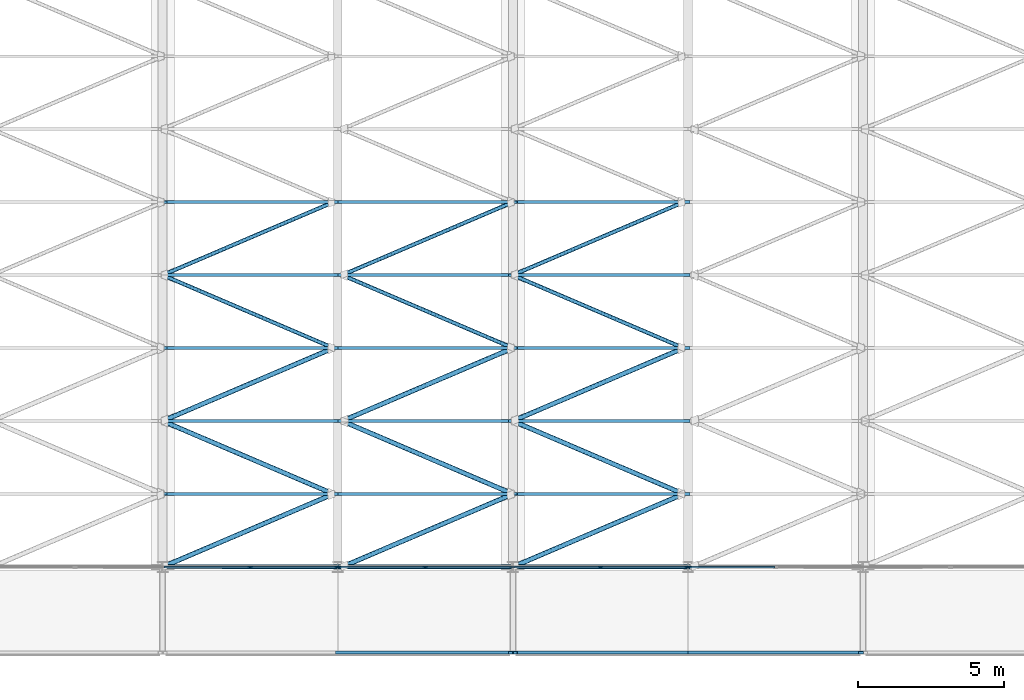
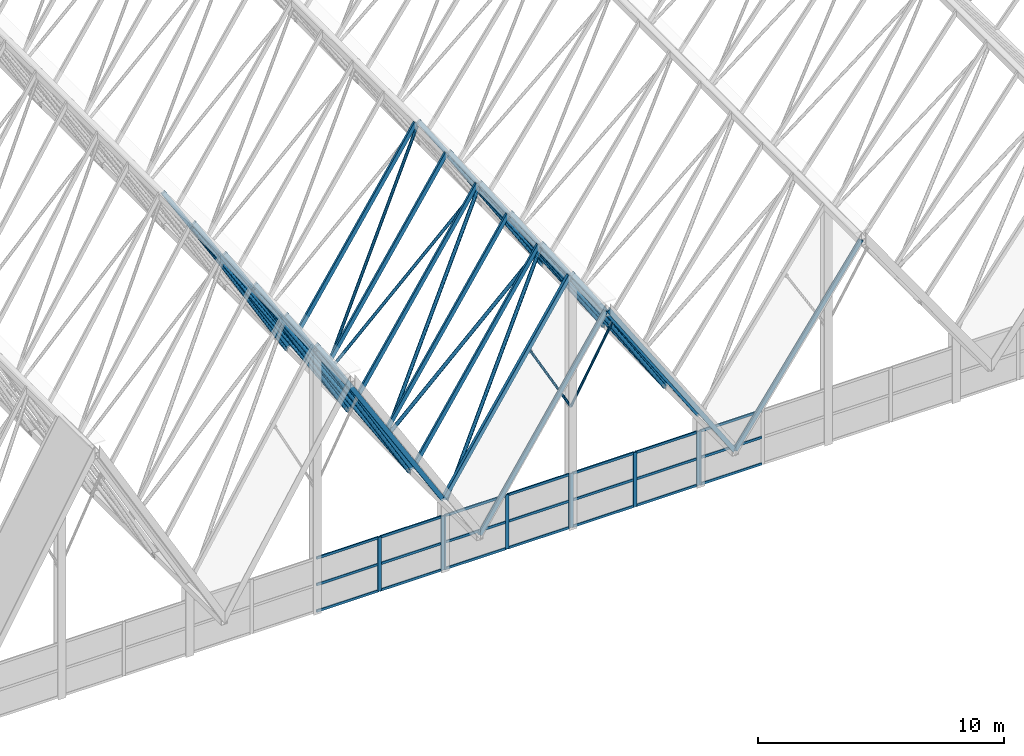
# One storey, part 16 of 483: 62 members, 6 beams, 4 elements without a shape of their own.
"""IFC4 building model written with IfcOpenShell, lengths in metres."""

from ifc_helpers import new_model, si_unit, direction, frame, origin, origin_2d, place, context, subcontext, project, spatial, rectangle, hollow_rectangle, hollow_circle, extrude, material, material_profile, profile_set, type_object, element, aggregate, save


model = new_model("IFC4")

# Units and contexts
model_context = context("Model", 3, precision=1e-05, world=origin(), true_north=direction((0.0, 1.0)))
body_context = subcontext(model_context, "Body", "Model", "MODEL_VIEW")
ifc_project = project(units=[si_unit("LENGTHUNIT", "METRE"), si_unit("AREAUNIT", "SQUARE_METRE"), si_unit("VOLUMEUNIT", "CUBIC_METRE"), si_unit("PLANEANGLEUNIT", "RADIAN"), si_unit("MASSUNIT", "GRAM", prefix="KILO")], contexts=[model_context])

# Site, building, storey
site_placement = place(None, origin())
site = spatial("IfcSite", under=ifc_project, at=site_placement, CompositionType="ELEMENT")
building_placement = place(site_placement, origin())
building = spatial("IfcBuilding", under=site, at=building_placement, Name="Parallax Yard Mobility Hub", CompositionType="ELEMENT")
storey_placement = place(building_placement, frame((0.0, 0.0, 13.199951171875)))
storey = spatial("IfcBuildingStorey", under=building, at=storey_placement, Name="L04", CompositionType="ELEMENT", Elevation=13.199951171875)

# Members
ifc_material_1 = material(Name="Steel ASTM A500 Gr C", Category="steel")
ifc_material_profile_1 = material_profile(ifc_material_1, hollow_circle(Radius=0.05712890625, WallThickness=0.006103515625, at=origin_2d()), Name="HSS114.3x6.0")
ifc_profile_set_1 = profile_set([ifc_material_profile_1], Name="Steel ASTM A500 Gr C")
member_type_1 = type_object("IfcMemberType", Name="Knee brace HSS114.3x6.0", PredefinedType="BRACE", material=ifc_profile_set_1)
for number, where, z_axis, x_axis, name in (
    (1, (51.0, 7.5, 6.0), (-0.484527681527, 0.0, 0.874775928929), (0.0, -1.0, 0.0), "Gable knee brace F8 south west"),
    (2, (51.0, 7.5, 6.0), (0.484527681527, 0.0, 0.874775928929), (0.0, 1.0, 0.0), "Gable knee brace F8 south east"),
):
    element("IfcMember", number, at=place(storey_placement, frame(where, z_axis=z_axis, x_axis=x_axis)), inside=storey, type_object=member_type_1, Name=name, PredefinedType="BRACE", context=body_context, shape_type="SweptSolid", body=[
        extrude(hollow_circle(Radius=0.05712890625, WallThickness=0.006103515625, at=origin_2d()), origin(), (0.0, 0.0, 1.0), 4.127685546875),
    ])

# Curtain wall, members
ifc_material_2 = material(Name="Thermally broken aluminium curtain wall system", Category="aluminium")
curtain_wall_type = type_object("IfcCurtainWallType", Name="Curtain wall run 60 x 160 frame", PredefinedType="NOTDEFINED", material=ifc_material_2)
curtain_wall_1_placement = place(storey_placement, origin())
curtain_wall_1 = element("IfcCurtainWall", 3, at=curtain_wall_1_placement, inside=storey, type_object=curtain_wall_type, Name="Glazed gable end Bus and taxi deck south gable bay 6 level L04", PredefinedType="NOTDEFINED")
ifc_material_3 = material(Name="Extruded aluminium", Category="aluminium")
ifc_material_profile_2 = material_profile(ifc_material_3, rectangle(XDim=0.06005859375, YDim=0.159912109375, at=origin_2d()), Name="Mullion 60 x 160")
ifc_profile_set_2 = profile_set([ifc_material_profile_2], Name="Extruded aluminium")
member_type_2 = type_object("IfcMemberType", Name="Mullion 60 x 160", PredefinedType="MULLION", material=ifc_profile_set_2)
member_1_placement = place(storey_placement, frame((42.0, 7.5, 0.0), z_axis=(0.0, 0.0, 1.0), x_axis=(0.0, 1.0, 0.0)))
member_1 = element("IfcMember", 4, at=member_1_placement, type_object=member_type_2, Name="CW1 mullion 2", PredefinedType="MULLION", context=body_context, shape_type="SweptSolid", body=[
    extrude(rectangle(XDim=0.06005859375, YDim=0.159912109375, at=origin_2d()), origin(), (0.0, 0.0, 1.0), 2.68994140625),
])
member_2_placement = place(storey_placement, frame((44.969970703125, 7.5, 0.0), z_axis=(0.0, 0.0, 1.0), x_axis=(0.0, 1.0, 0.0)))
member_2 = element("IfcMember", 5, at=member_2_placement, type_object=member_type_2, Name="CW1 mullion 3", PredefinedType="MULLION", context=body_context, shape_type="SweptSolid", body=[
    extrude(rectangle(XDim=0.06005859375, YDim=0.159912109375, at=origin_2d()), origin(), (0.0, 0.0, 1.0), 2.68994140625),
])

curtain_wall_2_placement = place(storey_placement, origin())
curtain_wall_2 = element("IfcCurtainWall", 6, at=curtain_wall_2_placement, inside=storey, type_object=curtain_wall_type, Name="Glazed gable end Bus and taxi deck south gable bay 7 level L04", PredefinedType="NOTDEFINED")
member_3_placement = place(storey_placement, frame((45.030029296875, 7.5, 0.0), z_axis=(0.0, 0.0, 1.0), x_axis=(0.0, 1.0, 0.0)))
member_3 = element("IfcMember", 7, at=member_3_placement, type_object=member_type_2, Name="CW1 mullion 1", PredefinedType="MULLION", context=body_context, shape_type="SweptSolid", body=[
    extrude(rectangle(XDim=0.06005859375, YDim=0.159912109375, at=origin_2d()), origin(), (0.0, 0.0, 1.0), 2.68994140625),
])
member_4_placement = place(storey_placement, frame((48.0, 7.5, 0.0), z_axis=(0.0, 0.0, 1.0), x_axis=(0.0, 1.0, 0.0)))
member_4 = element("IfcMember", 8, at=member_4_placement, type_object=member_type_2, Name="CW1 mullion 2", PredefinedType="MULLION", context=body_context, shape_type="SweptSolid", body=[
    extrude(rectangle(XDim=0.06005859375, YDim=0.159912109375, at=origin_2d()), origin(), (0.0, 0.0, 1.0), 2.68994140625),
])
member_5_placement = place(storey_placement, frame((50.969970703125, 7.5, 0.0), z_axis=(0.0, 0.0, 1.0), x_axis=(0.0, 1.0, 0.0)))
member_5 = element("IfcMember", 9, at=member_5_placement, type_object=member_type_2, Name="CW1 mullion 3", PredefinedType="MULLION", context=body_context, shape_type="SweptSolid", body=[
    extrude(rectangle(XDim=0.06005859375, YDim=0.159912109375, at=origin_2d()), origin(), (0.0, 0.0, 1.0), 2.68994140625),
])

curtain_wall_3_placement = place(storey_placement, origin())
curtain_wall_3 = element("IfcCurtainWall", 10, at=curtain_wall_3_placement, inside=storey, type_object=curtain_wall_type, Name="Glazed gable end Bus and taxi deck south gable bay 8 level L04", PredefinedType="NOTDEFINED")
member_6_placement = place(storey_placement, frame((51.030029296875, 7.5, 0.0), z_axis=(0.0, 0.0, 1.0), x_axis=(0.0, 1.0, 0.0)))
member_6 = element("IfcMember", 11, at=member_6_placement, type_object=member_type_2, Name="CW1 mullion 1", PredefinedType="MULLION", context=body_context, shape_type="SweptSolid", body=[
    extrude(rectangle(XDim=0.06005859375, YDim=0.159912109375, at=origin_2d()), origin(), (0.0, 0.0, 1.0), 2.68994140625),
])
member_7_placement = place(storey_placement, frame((54.0, 7.5, 0.0), z_axis=(0.0, 0.0, 1.0), x_axis=(0.0, 1.0, 0.0)))
member_7 = element("IfcMember", 12, at=member_7_placement, type_object=member_type_2, Name="CW1 mullion 2", PredefinedType="MULLION", context=body_context, shape_type="SweptSolid", body=[
    extrude(rectangle(XDim=0.06005859375, YDim=0.159912109375, at=origin_2d()), origin(), (0.0, 0.0, 1.0), 2.68994140625),
])
member_8_placement = place(storey_placement, frame((56.969970703125, 7.5, 0.0), z_axis=(0.0, 0.0, 1.0), x_axis=(0.0, 1.0, 0.0)))
member_8 = element("IfcMember", 13, at=member_8_placement, type_object=member_type_2, Name="CW1 mullion 3", PredefinedType="MULLION", context=body_context, shape_type="SweptSolid", body=[
    extrude(rectangle(XDim=0.06005859375, YDim=0.159912109375, at=origin_2d()), origin(), (0.0, 0.0, 1.0), 2.68994140625),
])

# Curtain wall, member
curtain_wall_4_placement = place(storey_placement, origin())
curtain_wall_4 = element("IfcCurtainWall", 14, at=curtain_wall_4_placement, inside=storey, type_object=curtain_wall_type, Name="Glazed gable end Bus and taxi deck south gable bay 9 level L04", PredefinedType="NOTDEFINED")
member_9_placement = place(storey_placement, frame((57.030029296875, 7.5, 0.0), z_axis=(0.0, 0.0, 1.0), x_axis=(0.0, 1.0, 0.0)))
member_9 = element("IfcMember", 15, at=member_9_placement, type_object=member_type_2, Name="CW1 mullion 1", PredefinedType="MULLION", context=body_context, shape_type="SweptSolid", body=[
    extrude(rectangle(XDim=0.06005859375, YDim=0.159912109375, at=origin_2d()), origin(), (0.0, 0.0, 1.0), 2.68994140625),
])

# Members
ifc_material_profile_3 = material_profile(ifc_material_1, hollow_circle(Radius=0.06982421875, WallThickness=0.00634765625, at=origin_2d()), Name="HSS139.7x6.4")
ifc_profile_set_3 = profile_set([ifc_material_profile_3], Name="Steel ASTM A500 Gr C")
member_type_3 = type_object("IfcMemberType", Name="Plate diagonal HSS139.7x6.4", PredefinedType="BRACE", material=ifc_profile_set_3)
member_10_placement = place(storey_placement, frame((44.84765625, 15.0, 3.4130859375), z_axis=(-0.507735199294, 0.217067820673, 0.833718494833), x_axis=(-0.393103707527, -0.919494140888, 0.0)))
element("IfcMember", 16, at=member_10_placement, inside=storey, type_object=member_type_3, Name="Plate diagonal plate F6-F7 bay 4", PredefinedType="BRACE", context=body_context, shape_type="SweptSolid", body=[
    extrude(hollow_circle(Radius=0.06982421875, WallThickness=0.00634765625, at=origin_2d()), origin(), (0.0, 0.0, 1.0), 11.51708984375),
])
for number, where, z_axis, x_axis, name in (
    (17, (51.0, 15.0, 12.35693359375), (-0.532816122499, 0.227790459853, -0.814996003674), (-0.393103707527, -0.919494140888, 0.0), "Plate diagonal plate F7-F8 bay 4"),
    (18, (56.84765625, 15.0, 3.412353515625), (-0.532816122499, 0.227790459853, 0.814996003674), (-0.393103707527, -0.919494140888, 0.0), "Plate diagonal plate F8-F9 bay 4"),
):
    element("IfcMember", number, at=place(storey_placement, frame(where, z_axis=z_axis, x_axis=x_axis)), inside=storey, type_object=member_type_3, Name=name, PredefinedType="BRACE", context=body_context, shape_type="SweptSolid", body=[
        extrude(hollow_circle(Radius=0.06982421875, WallThickness=0.00634765625, at=origin_2d()), origin(), (0.0, 0.0, 1.0), 10.97509765625),
    ])
member_11_placement = place(storey_placement, frame((39.0, 17.5, 13.01513671875), z_axis=(0.507735199294, 0.217067820673, -0.833718494833), x_axis=(-0.393103707527, 0.919494140888, 0.0)))
element("IfcMember", 19, at=member_11_placement, inside=storey, type_object=member_type_3, Name="Plate diagonal plate F6-F7 bay 5", PredefinedType="BRACE", context=body_context, shape_type="SweptSolid", body=[
    extrude(hollow_circle(Radius=0.06982421875, WallThickness=0.00634765625, at=origin_2d()), origin(), (0.0, 0.0, 1.0), 11.51708984375),
])
for number, where, z_axis, x_axis, name in (
    (20, (45.15234375, 17.5, 3.412353515625), (0.532816122499, 0.227790459853, 0.814996003674), (-0.393103707527, 0.919494140888, 0.0), "Plate diagonal plate F7-F8 bay 5"),
    (21, (51.0, 17.5, 12.35693359375), (0.532816122499, 0.227790459853, -0.814996003674), (-0.393103707527, 0.919494140888, 0.0), "Plate diagonal plate F8-F9 bay 5"),
):
    element("IfcMember", number, at=place(storey_placement, frame(where, z_axis=z_axis, x_axis=x_axis)), inside=storey, type_object=member_type_3, Name=name, PredefinedType="BRACE", context=body_context, shape_type="SweptSolid", body=[
        extrude(hollow_circle(Radius=0.06982421875, WallThickness=0.00634765625, at=origin_2d()), origin(), (0.0, 0.0, 1.0), 10.97509765625),
    ])
ifc_material_profile_4 = material_profile(ifc_material_1, hollow_circle(Radius=0.084228515625, WallThickness=0.007080078125, at=origin_2d()), Name="HSS168.3x7.1")
ifc_profile_set_4 = profile_set([ifc_material_profile_4], Name="Steel ASTM A500 Gr C")
member_type_4 = type_object("IfcMemberType", Name="Plate diagonal HSS168.3x7.1", PredefinedType="BRACE", material=ifc_profile_set_4)
member_12_placement = place(storey_placement, frame((39.0, 7.5, 13.01513671875), z_axis=(0.507735199294, 0.217067820673, -0.833718494833), x_axis=(-0.393103707527, 0.919494140888, 0.0)))
element("IfcMember", 22, at=member_12_placement, inside=storey, type_object=member_type_4, Name="Plate diagonal plate F6-F7 bay 1", PredefinedType="BRACE", context=body_context, shape_type="SweptSolid", body=[
    extrude(hollow_circle(Radius=0.084228515625, WallThickness=0.007080078125, at=origin_2d()), origin(), (0.0, 0.0, 1.0), 11.51708984375),
])
for number, where, z_axis, x_axis, name in (
    (23, (45.15234375, 7.5, 3.412353515625), (0.532816122499, 0.227790459853, 0.814996003674), (-0.393103707527, 0.919494140888, 0.0), "Plate diagonal plate F7-F8 bay 1"),
    (24, (51.0, 7.5, 12.35693359375), (0.532816122499, 0.227790459853, -0.814996003674), (-0.393103707527, 0.919494140888, 0.0), "Plate diagonal plate F8-F9 bay 1"),
):
    element("IfcMember", number, at=place(storey_placement, frame(where, z_axis=z_axis, x_axis=x_axis)), inside=storey, type_object=member_type_4, Name=name, PredefinedType="BRACE", context=body_context, shape_type="SweptSolid", body=[
        extrude(hollow_circle(Radius=0.084228515625, WallThickness=0.007080078125, at=origin_2d()), origin(), (0.0, 0.0, 1.0), 10.97509765625),
    ])
member_13_placement = place(storey_placement, frame((44.84765625, 10.0, 3.4130859375), z_axis=(-0.507735199294, 0.217067820673, 0.833718494833), x_axis=(-0.393103707527, -0.919494140888, 0.0)))
element("IfcMember", 25, at=member_13_placement, inside=storey, type_object=member_type_4, Name="Plate diagonal plate F6-F7 bay 2", PredefinedType="BRACE", context=body_context, shape_type="SweptSolid", body=[
    extrude(hollow_circle(Radius=0.084228515625, WallThickness=0.007080078125, at=origin_2d()), origin(), (0.0, 0.0, 1.0), 11.51708984375),
])
for number, where, z_axis, x_axis, name in (
    (26, (51.0, 10.0, 12.35693359375), (-0.532816122499, 0.227790459853, -0.814996003674), (-0.393103707527, -0.919494140888, 0.0), "Plate diagonal plate F7-F8 bay 2"),
    (27, (56.84765625, 10.0, 3.412353515625), (-0.532816122499, 0.227790459853, 0.814996003674), (-0.393103707527, -0.919494140888, 0.0), "Plate diagonal plate F8-F9 bay 2"),
):
    element("IfcMember", number, at=place(storey_placement, frame(where, z_axis=z_axis, x_axis=x_axis)), inside=storey, type_object=member_type_4, Name=name, PredefinedType="BRACE", context=body_context, shape_type="SweptSolid", body=[
        extrude(hollow_circle(Radius=0.084228515625, WallThickness=0.007080078125, at=origin_2d()), origin(), (0.0, 0.0, 1.0), 10.97509765625),
    ])
member_14_placement = place(storey_placement, frame((39.0, 12.5, 13.01513671875), z_axis=(0.507735199294, 0.217067820673, -0.833718494833), x_axis=(-0.393103707527, 0.919494140888, 0.0)))
element("IfcMember", 28, at=member_14_placement, inside=storey, type_object=member_type_4, Name="Plate diagonal plate F6-F7 bay 3", PredefinedType="BRACE", context=body_context, shape_type="SweptSolid", body=[
    extrude(hollow_circle(Radius=0.084228515625, WallThickness=0.007080078125, at=origin_2d()), origin(), (0.0, 0.0, 1.0), 11.51708984375),
])
for number, where, z_axis, x_axis, name in (
    (29, (45.15234375, 12.5, 3.412353515625), (0.532816122499, 0.227790459853, 0.814996003674), (-0.393103707527, 0.919494140888, 0.0), "Plate diagonal plate F7-F8 bay 3"),
    (30, (51.0, 12.5, 12.35693359375), (0.532816122499, 0.227790459853, -0.814996003674), (-0.393103707527, 0.919494140888, 0.0), "Plate diagonal plate F8-F9 bay 3"),
):
    element("IfcMember", number, at=place(storey_placement, frame(where, z_axis=z_axis, x_axis=x_axis)), inside=storey, type_object=member_type_4, Name=name, PredefinedType="BRACE", context=body_context, shape_type="SweptSolid", body=[
        extrude(hollow_circle(Radius=0.084228515625, WallThickness=0.007080078125, at=origin_2d()), origin(), (0.0, 0.0, 1.0), 10.97509765625),
    ])

# Beams
ifc_material_profile_5 = material_profile(ifc_material_1, hollow_rectangle(XDim=0.1015625, YDim=0.203125, WallThickness=0.00634765625, at=origin_2d()), Name="HSS203x102x6.4")
ifc_profile_set_5 = profile_set([ifc_material_profile_5], Name="Steel ASTM A500 Gr C")
beam_type_1 = type_object("IfcBeamType", Name="Roof edge beam HSS203x102x6.4", PredefinedType="SPANDREL", material=ifc_profile_set_5)
for number, where, z_axis, x_axis, name in (
    (31, (45.014892578125, 4.56005859375, 3.515380859375), (0.54720191895, 0.0, 0.837000633152), (0.0, 1.0, 0.0), "Edge beam plate F7-F8 south eave"),
    (32, (51.0673828125, 4.56005859375, 12.567138671875), (0.54720191895, 0.0, -0.837000633152), (0.0, 1.0, 0.0), "Edge beam plate F8-F9 south eave"),
):
    element("IfcBeam", number, at=place(storey_placement, frame(where, z_axis=z_axis, x_axis=x_axis)), inside=storey, type_object=beam_type_1, Name=name, PredefinedType="SPANDREL", context=body_context, shape_type="SweptSolid", body=[
        extrude(hollow_rectangle(XDim=0.1015625, YDim=0.203125, WallThickness=0.00634765625, at=origin_2d()), origin(), (0.0, 0.0, 1.0), 10.814453125),
    ])
beam_1_placement = place(storey_placement, frame((57.012939453125, 4.56005859375, 3.5107421875), z_axis=(0.576532840319, 0.0, 0.817073977088), x_axis=(0.0, 1.0, 0.0)))
element("IfcBeam", 33, at=beam_1_placement, inside=storey, type_object=beam_type_1, Name="Edge beam plate F9-F10 south eave", PredefinedType="SPANDREL", context=body_context, shape_type="SweptSolid", body=[
    extrude(hollow_rectangle(XDim=0.1015625, YDim=0.203125, WallThickness=0.00634765625, at=origin_2d()), origin(), (0.0, 0.0, 1.0), 10.264404296875),
])
ifc_material_profile_6 = material_profile(ifc_material_1, hollow_rectangle(XDim=0.15234375, YDim=0.203125, WallThickness=0.009521484375, at=origin_2d()), Name="HSS203x152x9.5")
ifc_profile_set_6 = profile_set([ifc_material_profile_6], Name="Steel ASTM A500 Gr C")
beam_type_2 = type_object("IfcBeamType", Name="Roof edge beam HSS203x152x9.5", PredefinedType="SPANDREL", material=ifc_profile_set_6)
beam_2_placement = place(storey_placement, frame((39.065673828125, 7.5, 13.237060546875), z_axis=(0.520123935721, 0.0, -0.854090798153), x_axis=(0.0, 1.0, 0.0)))
element("IfcBeam", 34, at=beam_2_placement, inside=storey, type_object=beam_type_2, Name="Edge beam plate F6-F7 south gable", PredefinedType="SPANDREL", context=body_context, shape_type="SweptSolid", body=[
    extrude(hollow_rectangle(XDim=0.15234375, YDim=0.203125, WallThickness=0.009521484375, at=origin_2d()), origin(), (0.0, 0.0, 1.0), 11.376953125),
])
for number, where, z_axis, x_axis, name in (
    (35, (45.014892578125, 7.5, 3.515380859375), (0.54720191895, 0.0, 0.837000633152), (0.0, 1.0, 0.0), "Edge beam plate F7-F8 south gable"),
    (36, (51.0673828125, 7.5, 12.567138671875), (0.54720191895, 0.0, -0.837000633152), (0.0, 1.0, 0.0), "Edge beam plate F8-F9 south gable"),
):
    element("IfcBeam", number, at=place(storey_placement, frame(where, z_axis=z_axis, x_axis=x_axis)), inside=storey, type_object=beam_type_2, Name=name, PredefinedType="SPANDREL", context=body_context, shape_type="SweptSolid", body=[
        extrude(hollow_rectangle(XDim=0.15234375, YDim=0.203125, WallThickness=0.009521484375, at=origin_2d()), origin(), (0.0, 0.0, 1.0), 10.814453125),
    ])

# Members
ifc_material_profile_7 = material_profile(ifc_material_1, hollow_rectangle(XDim=0.1015625, YDim=0.203125, WallThickness=0.00634765625, at=origin_2d()), Name="HSS203x102x6.4")
ifc_profile_set_7 = profile_set([ifc_material_profile_7], Name="Steel ASTM A500 Gr C")
member_type_5 = type_object("IfcMemberType", Name="Roof rafter HSS203x102x6.4", PredefinedType="RAFTER", material=ifc_profile_set_7)
member_15_placement = place(storey_placement, frame((39.065673828125, 10.0, 13.237060546875), z_axis=(0.520123935721, 0.0, -0.854090798153), x_axis=(0.0, 1.0, 0.0)))
element("IfcMember", 37, at=member_15_placement, inside=storey, type_object=member_type_5, Name="Roof rafter plate F6-F7 at y 10", PredefinedType="RAFTER", context=body_context, shape_type="SweptSolid", body=[
    extrude(hollow_rectangle(XDim=0.1015625, YDim=0.203125, WallThickness=0.00634765625, at=origin_2d()), origin(), (0.0, 0.0, 1.0), 11.376953125),
])
for number, where, z_axis, x_axis, name in (
    (38, (45.014892578125, 10.0, 3.515380859375), (0.54720191895, 0.0, 0.837000633152), (0.0, 1.0, 0.0), "Roof rafter plate F7-F8 at y 10"),
    (39, (51.0673828125, 10.0, 12.567138671875), (0.54720191895, 0.0, -0.837000633152), (0.0, 1.0, 0.0), "Roof rafter plate F8-F9 at y 10"),
):
    element("IfcMember", number, at=place(storey_placement, frame(where, z_axis=z_axis, x_axis=x_axis)), inside=storey, type_object=member_type_5, Name=name, PredefinedType="RAFTER", context=body_context, shape_type="SweptSolid", body=[
        extrude(hollow_rectangle(XDim=0.1015625, YDim=0.203125, WallThickness=0.00634765625, at=origin_2d()), origin(), (0.0, 0.0, 1.0), 10.814453125),
    ])
member_16_placement = place(storey_placement, frame((39.065673828125, 12.5, 13.237060546875), z_axis=(0.520123935721, 0.0, -0.854090798153), x_axis=(0.0, 1.0, 0.0)))
element("IfcMember", 40, at=member_16_placement, inside=storey, type_object=member_type_5, Name="Roof rafter plate F6-F7 at y 12.5", PredefinedType="RAFTER", context=body_context, shape_type="SweptSolid", body=[
    extrude(hollow_rectangle(XDim=0.1015625, YDim=0.203125, WallThickness=0.00634765625, at=origin_2d()), origin(), (0.0, 0.0, 1.0), 11.376953125),
])
for number, where, z_axis, x_axis, name in (
    (41, (45.014892578125, 12.5, 3.515380859375), (0.54720191895, 0.0, 0.837000633152), (0.0, 1.0, 0.0), "Roof rafter plate F7-F8 at y 12.5"),
    (42, (51.0673828125, 12.5, 12.567138671875), (0.54720191895, 0.0, -0.837000633152), (0.0, 1.0, 0.0), "Roof rafter plate F8-F9 at y 12.5"),
):
    element("IfcMember", number, at=place(storey_placement, frame(where, z_axis=z_axis, x_axis=x_axis)), inside=storey, type_object=member_type_5, Name=name, PredefinedType="RAFTER", context=body_context, shape_type="SweptSolid", body=[
        extrude(hollow_rectangle(XDim=0.1015625, YDim=0.203125, WallThickness=0.00634765625, at=origin_2d()), origin(), (0.0, 0.0, 1.0), 10.814453125),
    ])
member_17_placement = place(storey_placement, frame((39.065673828125, 15.0, 13.237060546875), z_axis=(0.520123935721, 0.0, -0.854090798153), x_axis=(0.0, 1.0, 0.0)))
element("IfcMember", 43, at=member_17_placement, inside=storey, type_object=member_type_5, Name="Roof rafter plate F6-F7 at y 15", PredefinedType="RAFTER", context=body_context, shape_type="SweptSolid", body=[
    extrude(hollow_rectangle(XDim=0.1015625, YDim=0.203125, WallThickness=0.00634765625, at=origin_2d()), origin(), (0.0, 0.0, 1.0), 11.376953125),
])
for number, where, z_axis, x_axis, name in (
    (44, (45.014892578125, 15.0, 3.515380859375), (0.54720191895, 0.0, 0.837000633152), (0.0, 1.0, 0.0), "Roof rafter plate F7-F8 at y 15"),
    (45, (51.0673828125, 15.0, 12.567138671875), (0.54720191895, 0.0, -0.837000633152), (0.0, 1.0, 0.0), "Roof rafter plate F8-F9 at y 15"),
):
    element("IfcMember", number, at=place(storey_placement, frame(where, z_axis=z_axis, x_axis=x_axis)), inside=storey, type_object=member_type_5, Name=name, PredefinedType="RAFTER", context=body_context, shape_type="SweptSolid", body=[
        extrude(hollow_rectangle(XDim=0.1015625, YDim=0.203125, WallThickness=0.00634765625, at=origin_2d()), origin(), (0.0, 0.0, 1.0), 10.814453125),
    ])
member_18_placement = place(storey_placement, frame((39.065673828125, 17.5, 13.237060546875), z_axis=(0.520123935721, 0.0, -0.854090798153), x_axis=(0.0, 1.0, 0.0)))
element("IfcMember", 46, at=member_18_placement, inside=storey, type_object=member_type_5, Name="Roof rafter plate F6-F7 at y 17.5", PredefinedType="RAFTER", context=body_context, shape_type="SweptSolid", body=[
    extrude(hollow_rectangle(XDim=0.1015625, YDim=0.203125, WallThickness=0.00634765625, at=origin_2d()), origin(), (0.0, 0.0, 1.0), 11.376953125),
])
for number, where, z_axis, x_axis, name in (
    (47, (45.014892578125, 17.5, 3.515380859375), (0.54720191895, 0.0, 0.837000633152), (0.0, 1.0, 0.0), "Roof rafter plate F7-F8 at y 17.5"),
    (48, (51.0673828125, 17.5, 12.567138671875), (0.54720191895, 0.0, -0.837000633152), (0.0, 1.0, 0.0), "Roof rafter plate F8-F9 at y 17.5"),
):
    element("IfcMember", number, at=place(storey_placement, frame(where, z_axis=z_axis, x_axis=x_axis)), inside=storey, type_object=member_type_5, Name=name, PredefinedType="RAFTER", context=body_context, shape_type="SweptSolid", body=[
        extrude(hollow_rectangle(XDim=0.1015625, YDim=0.203125, WallThickness=0.00634765625, at=origin_2d()), origin(), (0.0, 0.0, 1.0), 10.814453125),
    ])
member_19_placement = place(storey_placement, frame((39.065673828125, 20.0, 13.237060546875), z_axis=(0.520123935721, 0.0, -0.854090798153), x_axis=(0.0, 1.0, 0.0)))
element("IfcMember", 49, at=member_19_placement, inside=storey, type_object=member_type_5, Name="Roof rafter plate F6-F7 at y 20", PredefinedType="RAFTER", context=body_context, shape_type="SweptSolid", body=[
    extrude(hollow_rectangle(XDim=0.1015625, YDim=0.203125, WallThickness=0.00634765625, at=origin_2d()), origin(), (0.0, 0.0, 1.0), 11.376953125),
])
for number, where, z_axis, x_axis, name in (
    (50, (45.014892578125, 20.0, 3.515380859375), (0.54720191895, 0.0, 0.837000633152), (0.0, 1.0, 0.0), "Roof rafter plate F7-F8 at y 20"),
    (51, (51.0673828125, 20.0, 12.567138671875), (0.54720191895, 0.0, -0.837000633152), (0.0, 1.0, 0.0), "Roof rafter plate F8-F9 at y 20"),
):
    element("IfcMember", number, at=place(storey_placement, frame(where, z_axis=z_axis, x_axis=x_axis)), inside=storey, type_object=member_type_5, Name=name, PredefinedType="RAFTER", context=body_context, shape_type="SweptSolid", body=[
        extrude(hollow_rectangle(XDim=0.1015625, YDim=0.203125, WallThickness=0.00634765625, at=origin_2d()), origin(), (0.0, 0.0, 1.0), 10.814453125),
    ])

# Member
ifc_material_profile_8 = material_profile(ifc_material_3, rectangle(XDim=0.06005859375, YDim=0.1201171875, at=origin_2d()), Name="Transom 60 x 120")
ifc_profile_set_8 = profile_set([ifc_material_profile_8], Name="Extruded aluminium")
member_type_6 = type_object("IfcMemberType", Name="Transom 60 x 120", PredefinedType="USERDEFINED", material=ifc_profile_set_8)
member_20_placement = place(storey_placement, frame((39.06005859375, 7.5, 0.030029296875), z_axis=(1.0, 0.0, 0.0), x_axis=(0.0, 1.0, 0.0)))
member_20 = element("IfcMember", 52, at=member_20_placement, type_object=member_type_6, Name="CW1 transom 1.1", ObjectType="TRANSOM", PredefinedType="USERDEFINED", context=body_context, shape_type="SweptSolid", body=[
    extrude(rectangle(XDim=0.06005859375, YDim=0.1201171875, at=origin_2d()), origin(), (0.0, 0.0, 1.0), 2.909912109375),
])

member_21_placement = place(storey_placement, frame((39.06005859375, 7.5, 1.344970703125), z_axis=(1.0, 0.0, 0.0), x_axis=(0.0, 1.0, 0.0)))
member_21 = element("IfcMember", 53, at=member_21_placement, type_object=member_type_6, Name="CW1 transom 1.2", ObjectType="TRANSOM", PredefinedType="USERDEFINED", context=body_context, shape_type="SweptSolid", body=[
    extrude(rectangle(XDim=0.06005859375, YDim=0.1201171875, at=origin_2d()), origin(), (0.0, 0.0, 1.0), 2.909912109375),
])

member_22_placement = place(storey_placement, frame((39.06005859375, 7.5, 2.66015625), z_axis=(1.0, 0.0, 0.0), x_axis=(0.0, 1.0, 0.0)))
member_22 = element("IfcMember", 54, at=member_22_placement, type_object=member_type_6, Name="CW1 transom 1.3", ObjectType="TRANSOM", PredefinedType="USERDEFINED", context=body_context, shape_type="SweptSolid", body=[
    extrude(rectangle(XDim=0.06005859375, YDim=0.1201171875, at=origin_2d()), origin(), (0.0, 0.0, 1.0), 2.909912109375),
])

member_23_placement = place(storey_placement, frame((42.030029296875, 7.5, 0.030029296875), z_axis=(1.0, 0.0, 0.0), x_axis=(0.0, 1.0, 0.0)))
member_23 = element("IfcMember", 55, at=member_23_placement, type_object=member_type_6, Name="CW1 transom 2.1", ObjectType="TRANSOM", PredefinedType="USERDEFINED", context=body_context, shape_type="SweptSolid", body=[
    extrude(rectangle(XDim=0.06005859375, YDim=0.1201171875, at=origin_2d()), origin(), (0.0, 0.0, 1.0), 2.909912109375),
])

member_24_placement = place(storey_placement, frame((42.030029296875, 7.5, 1.344970703125), z_axis=(1.0, 0.0, 0.0), x_axis=(0.0, 1.0, 0.0)))
member_24 = element("IfcMember", 56, at=member_24_placement, type_object=member_type_6, Name="CW1 transom 2.2", ObjectType="TRANSOM", PredefinedType="USERDEFINED", context=body_context, shape_type="SweptSolid", body=[
    extrude(rectangle(XDim=0.06005859375, YDim=0.1201171875, at=origin_2d()), origin(), (0.0, 0.0, 1.0), 2.909912109375),
])

member_25_placement = place(storey_placement, frame((42.030029296875, 7.5, 2.66015625), z_axis=(1.0, 0.0, 0.0), x_axis=(0.0, 1.0, 0.0)))
member_25 = element("IfcMember", 57, at=member_25_placement, type_object=member_type_6, Name="CW1 transom 2.3", ObjectType="TRANSOM", PredefinedType="USERDEFINED", context=body_context, shape_type="SweptSolid", body=[
    extrude(rectangle(XDim=0.06005859375, YDim=0.1201171875, at=origin_2d()), origin(), (0.0, 0.0, 1.0), 2.909912109375),
])

aggregate(curtain_wall_1, [member_1, member_2, member_20, member_21, member_22, member_23, member_24, member_25])

member_26_placement = place(storey_placement, frame((45.06005859375, 7.5, 0.030029296875), z_axis=(1.0, 0.0, 0.0), x_axis=(0.0, 1.0, 0.0)))
member_26 = element("IfcMember", 58, at=member_26_placement, type_object=member_type_6, Name="CW1 transom 1.1", ObjectType="TRANSOM", PredefinedType="USERDEFINED", context=body_context, shape_type="SweptSolid", body=[
    extrude(rectangle(XDim=0.06005859375, YDim=0.1201171875, at=origin_2d()), origin(), (0.0, 0.0, 1.0), 2.909912109375),
])

member_27_placement = place(storey_placement, frame((45.06005859375, 7.5, 1.344970703125), z_axis=(1.0, 0.0, 0.0), x_axis=(0.0, 1.0, 0.0)))
member_27 = element("IfcMember", 59, at=member_27_placement, type_object=member_type_6, Name="CW1 transom 1.2", ObjectType="TRANSOM", PredefinedType="USERDEFINED", context=body_context, shape_type="SweptSolid", body=[
    extrude(rectangle(XDim=0.06005859375, YDim=0.1201171875, at=origin_2d()), origin(), (0.0, 0.0, 1.0), 2.909912109375),
])

member_28_placement = place(storey_placement, frame((45.06005859375, 7.5, 2.66015625), z_axis=(1.0, 0.0, 0.0), x_axis=(0.0, 1.0, 0.0)))
member_28 = element("IfcMember", 60, at=member_28_placement, type_object=member_type_6, Name="CW1 transom 1.3", ObjectType="TRANSOM", PredefinedType="USERDEFINED", context=body_context, shape_type="SweptSolid", body=[
    extrude(rectangle(XDim=0.06005859375, YDim=0.1201171875, at=origin_2d()), origin(), (0.0, 0.0, 1.0), 2.909912109375),
])

member_29_placement = place(storey_placement, frame((48.030029296875, 7.5, 0.030029296875), z_axis=(1.0, 0.0, 0.0), x_axis=(0.0, 1.0, 0.0)))
member_29 = element("IfcMember", 61, at=member_29_placement, type_object=member_type_6, Name="CW1 transom 2.1", ObjectType="TRANSOM", PredefinedType="USERDEFINED", context=body_context, shape_type="SweptSolid", body=[
    extrude(rectangle(XDim=0.06005859375, YDim=0.1201171875, at=origin_2d()), origin(), (0.0, 0.0, 1.0), 2.909912109375),
])

member_30_placement = place(storey_placement, frame((48.030029296875, 7.5, 1.344970703125), z_axis=(1.0, 0.0, 0.0), x_axis=(0.0, 1.0, 0.0)))
member_30 = element("IfcMember", 62, at=member_30_placement, type_object=member_type_6, Name="CW1 transom 2.2", ObjectType="TRANSOM", PredefinedType="USERDEFINED", context=body_context, shape_type="SweptSolid", body=[
    extrude(rectangle(XDim=0.06005859375, YDim=0.1201171875, at=origin_2d()), origin(), (0.0, 0.0, 1.0), 2.909912109375),
])

member_31_placement = place(storey_placement, frame((48.030029296875, 7.5, 2.66015625), z_axis=(1.0, 0.0, 0.0), x_axis=(0.0, 1.0, 0.0)))
member_31 = element("IfcMember", 63, at=member_31_placement, type_object=member_type_6, Name="CW1 transom 2.3", ObjectType="TRANSOM", PredefinedType="USERDEFINED", context=body_context, shape_type="SweptSolid", body=[
    extrude(rectangle(XDim=0.06005859375, YDim=0.1201171875, at=origin_2d()), origin(), (0.0, 0.0, 1.0), 2.909912109375),
])

aggregate(curtain_wall_2, [member_3, member_4, member_5, member_26, member_27, member_28, member_29, member_30, member_31])

member_32_placement = place(storey_placement, frame((51.06005859375, 7.5, 0.030029296875), z_axis=(1.0, 0.0, 0.0), x_axis=(0.0, 1.0, 0.0)))
member_32 = element("IfcMember", 64, at=member_32_placement, type_object=member_type_6, Name="CW1 transom 1.1", ObjectType="TRANSOM", PredefinedType="USERDEFINED", context=body_context, shape_type="SweptSolid", body=[
    extrude(rectangle(XDim=0.06005859375, YDim=0.1201171875, at=origin_2d()), origin(), (0.0, 0.0, 1.0), 2.909912109375),
])

member_33_placement = place(storey_placement, frame((51.06005859375, 7.5, 1.344970703125), z_axis=(1.0, 0.0, 0.0), x_axis=(0.0, 1.0, 0.0)))
member_33 = element("IfcMember", 65, at=member_33_placement, type_object=member_type_6, Name="CW1 transom 1.2", ObjectType="TRANSOM", PredefinedType="USERDEFINED", context=body_context, shape_type="SweptSolid", body=[
    extrude(rectangle(XDim=0.06005859375, YDim=0.1201171875, at=origin_2d()), origin(), (0.0, 0.0, 1.0), 2.909912109375),
])

member_34_placement = place(storey_placement, frame((51.06005859375, 7.5, 2.66015625), z_axis=(1.0, 0.0, 0.0), x_axis=(0.0, 1.0, 0.0)))
member_34 = element("IfcMember", 66, at=member_34_placement, type_object=member_type_6, Name="CW1 transom 1.3", ObjectType="TRANSOM", PredefinedType="USERDEFINED", context=body_context, shape_type="SweptSolid", body=[
    extrude(rectangle(XDim=0.06005859375, YDim=0.1201171875, at=origin_2d()), origin(), (0.0, 0.0, 1.0), 2.909912109375),
])

member_35_placement = place(storey_placement, frame((54.030029296875, 7.5, 0.030029296875), z_axis=(1.0, 0.0, 0.0), x_axis=(0.0, 1.0, 0.0)))
member_35 = element("IfcMember", 67, at=member_35_placement, type_object=member_type_6, Name="CW1 transom 2.1", ObjectType="TRANSOM", PredefinedType="USERDEFINED", context=body_context, shape_type="SweptSolid", body=[
    extrude(rectangle(XDim=0.06005859375, YDim=0.1201171875, at=origin_2d()), origin(), (0.0, 0.0, 1.0), 2.909912109375),
])

member_36_placement = place(storey_placement, frame((54.030029296875, 7.5, 1.344970703125), z_axis=(1.0, 0.0, 0.0), x_axis=(0.0, 1.0, 0.0)))
member_36 = element("IfcMember", 68, at=member_36_placement, type_object=member_type_6, Name="CW1 transom 2.2", ObjectType="TRANSOM", PredefinedType="USERDEFINED", context=body_context, shape_type="SweptSolid", body=[
    extrude(rectangle(XDim=0.06005859375, YDim=0.1201171875, at=origin_2d()), origin(), (0.0, 0.0, 1.0), 2.909912109375),
])

member_37_placement = place(storey_placement, frame((54.030029296875, 7.5, 2.66015625), z_axis=(1.0, 0.0, 0.0), x_axis=(0.0, 1.0, 0.0)))
member_37 = element("IfcMember", 69, at=member_37_placement, type_object=member_type_6, Name="CW1 transom 2.3", ObjectType="TRANSOM", PredefinedType="USERDEFINED", context=body_context, shape_type="SweptSolid", body=[
    extrude(rectangle(XDim=0.06005859375, YDim=0.1201171875, at=origin_2d()), origin(), (0.0, 0.0, 1.0), 2.909912109375),
])

aggregate(curtain_wall_3, [member_6, member_7, member_8, member_32, member_33, member_34, member_35, member_36, member_37])

member_38_placement = place(storey_placement, frame((57.06005859375, 7.5, 0.030029296875), z_axis=(1.0, 0.0, 0.0), x_axis=(0.0, 1.0, 0.0)))
member_38 = element("IfcMember", 70, at=member_38_placement, type_object=member_type_6, Name="CW1 transom 1.1", ObjectType="TRANSOM", PredefinedType="USERDEFINED", context=body_context, shape_type="SweptSolid", body=[
    extrude(rectangle(XDim=0.06005859375, YDim=0.1201171875, at=origin_2d()), origin(), (0.0, 0.0, 1.0), 2.909912109375),
])

member_39_placement = place(storey_placement, frame((57.06005859375, 7.5, 1.344970703125), z_axis=(1.0, 0.0, 0.0), x_axis=(0.0, 1.0, 0.0)))
member_39 = element("IfcMember", 71, at=member_39_placement, type_object=member_type_6, Name="CW1 transom 1.2", ObjectType="TRANSOM", PredefinedType="USERDEFINED", context=body_context, shape_type="SweptSolid", body=[
    extrude(rectangle(XDim=0.06005859375, YDim=0.1201171875, at=origin_2d()), origin(), (0.0, 0.0, 1.0), 2.909912109375),
])

member_40_placement = place(storey_placement, frame((57.06005859375, 7.5, 2.66015625), z_axis=(1.0, 0.0, 0.0), x_axis=(0.0, 1.0, 0.0)))
member_40 = element("IfcMember", 72, at=member_40_placement, type_object=member_type_6, Name="CW1 transom 1.3", ObjectType="TRANSOM", PredefinedType="USERDEFINED", context=body_context, shape_type="SweptSolid", body=[
    extrude(rectangle(XDim=0.06005859375, YDim=0.1201171875, at=origin_2d()), origin(), (0.0, 0.0, 1.0), 2.909912109375),
])

aggregate(curtain_wall_4, [member_9, member_38, member_39, member_40])

save(model, "model.ifc")
